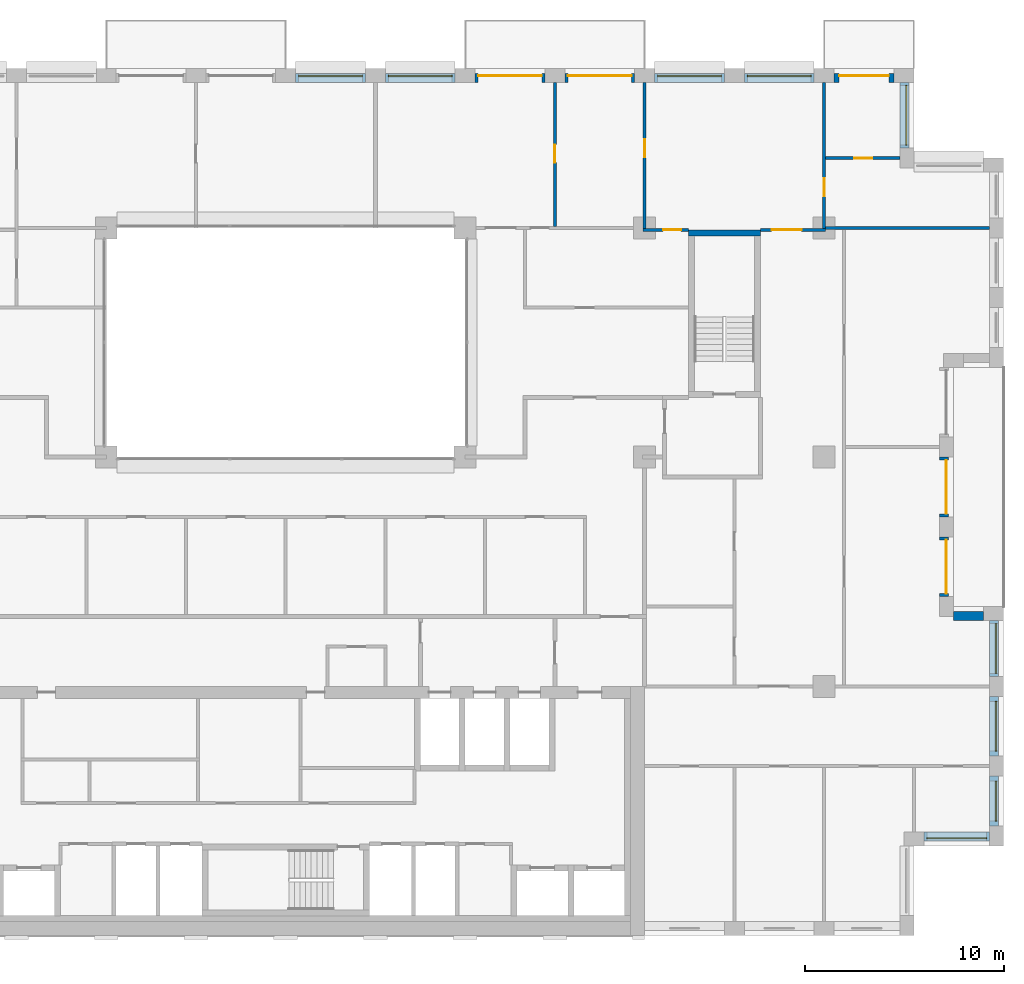
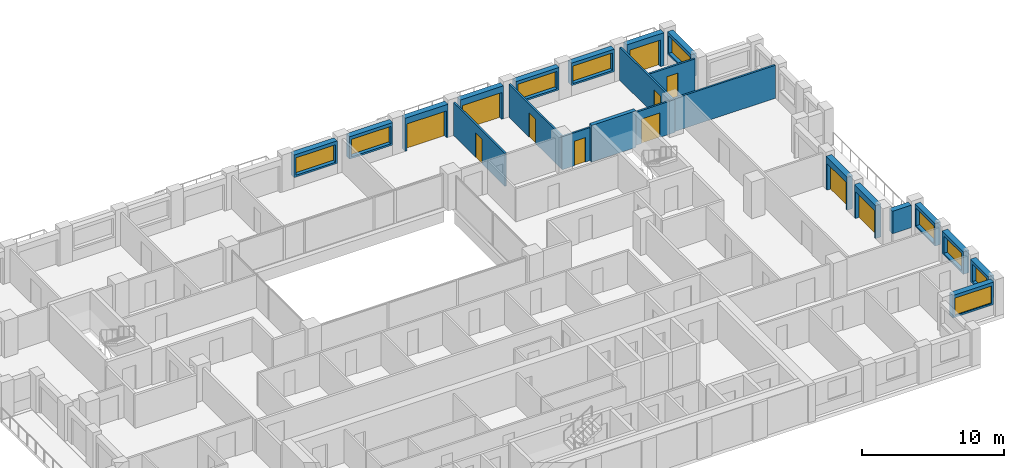
# One storey, part 13 of 15: 23 walls, 11 doors, 9 windows, 20 openings.
"""IFC4 building model written with IfcOpenShell, lengths in metres."""

from ifc_helpers import new_model, si_unit, direction, frame, frame_2d, origin, place, context, subcontext, project, spatial, rectangle, extrude, material, layer, layer_set, type_object, element, fill, save


model = new_model("IFC4")

# Units and contexts
model_context = context("Model", 3, precision=1e-05, world=origin(), true_north=direction((0.0, 1.0)))
body_context = subcontext(model_context, "Body", "Model", "MODEL_VIEW")
ifc_project = project(units=[si_unit("LENGTHUNIT", "METRE"), si_unit("AREAUNIT", "SQUARE_METRE"), si_unit("VOLUMEUNIT", "CUBIC_METRE"), si_unit("PLANEANGLEUNIT", "RADIAN"), si_unit("MASSUNIT", "GRAM", prefix="KILO")], contexts=[model_context])

# Site, building, storey
site_placement = place(None, origin())
site = spatial("IfcSite", under=ifc_project, at=site_placement, CompositionType="ELEMENT")
building_placement = place(site_placement, origin())
building = spatial("IfcBuilding", under=site, at=building_placement, Name="Brigalow Station Residences", CompositionType="ELEMENT")
storey_placement = place(building_placement, frame((0.0, 0.0, 150.75)))
storey = spatial("IfcBuildingStorey", under=building, at=storey_placement, Name="L43", CompositionType="ELEMENT", Elevation=150.75)

# Wall, opening, window
ifc_material_1 = material(Name="Clay brick masonry", Category="masonry")
ifc_layer_1 = layer(ifc_material_1, 0.449951171875)
ifc_layer_set_1 = layer_set([ifc_layer_1], Name="BRICK INFILL WALL 450")
wall_type_1 = type_object("IfcWallType", Name="BRICK INFILL WALL 450", PredefinedType="SOLIDWALL", material=ifc_layer_set_1)
wall_1_placement = place(storey_placement, frame((68.0, 4.97509765625, 0.89990234375), z_axis=(0.0, 0.0, 1.0), x_axis=(1.0, 0.0, 0.0)))
wall_1 = element("IfcWall", 1, at=wall_1_placement, inside=storey, type_object=wall_type_1, Name="L43/ewall/W-L43-8", PredefinedType="SOLIDWALL", context=body_context, shape_type="SweptSolid", body=[
    extrude(rectangle(XDim=3.300048828125, YDim=0.449951171875, at=frame_2d((1.64990234375, 0.0))), origin(), (0.0, 0.0, 1.0), 1.93017578125),
])
opening_1_placement = place(wall_1_placement, frame((0.14990234375, 0.0, 0.14990234375)))
opening_1 = element("IfcOpeningElement", 2, at=opening_1_placement, cuts=wall_1, Name="Opening WT-2", PredefinedType="OPENING", context=body_context, shape_type="SweptSolid", body=[
    extrude(rectangle(XDim=3.0, YDim=1.5, at=frame_2d((1.5, 0.75))), frame((0.0, 0.23486328125, 0.0), z_axis=(0.0, -1.0, 0.0), x_axis=(1.0, 0.0, 0.0)), (0.0, 0.0, 1.0), 0.469970703125),
])
ifc_material_2 = material(Name="Anodised aluminium frame with double glazing", Category="aluminium")
window_type_1 = type_object("IfcWindowType", Name="WINDOW 3000x1500", PartitioningType="SINGLE_PANEL", PredefinedType="WINDOW", material=ifc_material_2)
window_1_placement = place(opening_1_placement, origin())
window_1 = element("IfcWindow", 3, at=window_1_placement, inside=storey, type_object=window_type_1, Name="L43/window/W-L43-8", OverallHeight=1.5, OverallWidth=3.0, PartitioningType="SINGLE_PANEL", PredefinedType="WINDOW", context=body_context, shape_type="SweptSolid", body=[
    extrude(rectangle(XDim=3.0, YDim=1.5, at=frame_2d((1.5, 0.75))), frame((0.0, -0.06494140625, 0.0), z_axis=(0.0, -1.0, 0.0), x_axis=(1.0, 0.0, 0.0)), (0.0, 0.0, 1.0), 0.06005859375),
])
fill(opening_1, window_1)

wall_2_placement = place(storey_placement, frame((71.52490234375, 5.5, 0.89990234375), z_axis=(0.0, 0.0, 1.0), x_axis=(0.0, 1.0, 0.0)))
wall_2 = element("IfcWall", 4, at=wall_2_placement, inside=storey, type_object=wall_type_1, Name="L43/ewall/W-L43-9", PredefinedType="SOLIDWALL", context=body_context, shape_type="SweptSolid", body=[
    extrude(rectangle(XDim=2.5, YDim=0.449951171875, at=frame_2d((1.25, 0.0))), origin(), (0.0, 0.0, 1.0), 1.93017578125),
])
opening_2_placement = place(wall_2_placement, frame((0.25, 0.0, 0.14990234375)))
opening_2 = element("IfcOpeningElement", 5, at=opening_2_placement, cuts=wall_2, Name="Opening WT-7", PredefinedType="OPENING", context=body_context, shape_type="SweptSolid", body=[
    extrude(rectangle(XDim=2.0, YDim=1.5, at=frame_2d((1.0, 0.75))), frame((0.0, 0.23486328125, 0.0), z_axis=(0.0, -1.0, 0.0), x_axis=(1.0, 0.0, 0.0)), (0.0, 0.0, 1.0), 0.469970703125),
])
ifc_material_3 = material(Name="Anodised aluminium frame with double glazing", Category="aluminium")
window_type_2 = type_object("IfcWindowType", Name="WINDOW 2000x1500", PartitioningType="SINGLE_PANEL", PredefinedType="WINDOW", material=ifc_material_3)
window_2_placement = place(opening_2_placement, origin())
window_2 = element("IfcWindow", 6, at=window_2_placement, inside=storey, type_object=window_type_2, Name="L43/window/W-L43-9", OverallHeight=1.5, OverallWidth=2.0, PartitioningType="SINGLE_PANEL", PredefinedType="WINDOW", context=body_context, shape_type="SweptSolid", body=[
    extrude(rectangle(XDim=2.0, YDim=1.5, at=frame_2d((1.0, 0.75))), frame((0.0, -0.06494140625, 0.0), z_axis=(0.0, -1.0, 0.0), x_axis=(1.0, 0.0, 0.0)), (0.0, 0.0, 1.0), 0.06005859375),
])
fill(opening_2, window_2)

wall_3_placement = place(storey_placement, frame((71.52490234375, 9.0, 0.89990234375), z_axis=(0.0, 0.0, 1.0), x_axis=(0.0, 1.0, 0.0)))
wall_3 = element("IfcWall", 7, at=wall_3_placement, inside=storey, type_object=wall_type_1, Name="L43/ewall/W-L43-10", PredefinedType="SOLIDWALL", context=body_context, shape_type="SweptSolid", body=[
    extrude(rectangle(XDim=3.0, YDim=0.449951171875, at=frame_2d((1.5, 0.0))), origin(), (0.0, 0.0, 1.0), 1.93017578125),
])
opening_3_placement = place(wall_3_placement, frame((0.25, 0.0, 0.14990234375)))
opening_3 = element("IfcOpeningElement", 8, at=opening_3_placement, cuts=wall_3, Name="Opening WT-5", PredefinedType="OPENING", context=body_context, shape_type="SweptSolid", body=[
    extrude(rectangle(XDim=2.5, YDim=1.5, at=frame_2d((1.25, 0.75))), frame((0.0, 0.23486328125, 0.0), z_axis=(0.0, -1.0, 0.0), x_axis=(1.0, 0.0, 0.0)), (0.0, 0.0, 1.0), 0.469970703125),
])
ifc_material_4 = material(Name="Anodised aluminium frame with double glazing", Category="aluminium")
window_type_3 = type_object("IfcWindowType", Name="WINDOW 2500x1500", PartitioningType="SINGLE_PANEL", PredefinedType="WINDOW", material=ifc_material_4)
window_3_placement = place(opening_3_placement, origin())
window_3 = element("IfcWindow", 9, at=window_3_placement, inside=storey, type_object=window_type_3, Name="L43/window/W-L43-10", OverallHeight=1.5, OverallWidth=2.5, PartitioningType="SINGLE_PANEL", PredefinedType="WINDOW", context=body_context, shape_type="SweptSolid", body=[
    extrude(rectangle(XDim=2.5, YDim=1.5, at=frame_2d((1.25, 0.75))), frame((0.0, -0.06494140625, 0.0), z_axis=(0.0, -1.0, 0.0), x_axis=(1.0, 0.0, 0.0)), (0.0, 0.0, 1.0), 0.06005859375),
])
fill(opening_3, window_3)

wall_4_placement = place(storey_placement, frame((71.52490234375, 13.0, 0.89990234375), z_axis=(0.0, 0.0, 1.0), x_axis=(0.0, 1.0, 0.0)))
wall_4 = element("IfcWall", 10, at=wall_4_placement, inside=storey, type_object=wall_type_1, Name="L43/ewall/W-L43-11", PredefinedType="SOLIDWALL", context=body_context, shape_type="SweptSolid", body=[
    extrude(rectangle(XDim=2.800048828125, YDim=0.449951171875, at=frame_2d((1.39990234375, 0.0))), origin(), (0.0, 0.0, 1.0), 1.93017578125),
])
opening_4_placement = place(wall_4_placement, frame((0.14990234375, 0.0, 0.14990234375)))
opening_4 = element("IfcOpeningElement", 11, at=opening_4_placement, cuts=wall_4, Name="Opening WT-5", PredefinedType="OPENING", context=body_context, shape_type="SweptSolid", body=[
    extrude(rectangle(XDim=2.5, YDim=1.5, at=frame_2d((1.25, 0.75))), frame((0.0, 0.23486328125, 0.0), z_axis=(0.0, -1.0, 0.0), x_axis=(1.0, 0.0, 0.0)), (0.0, 0.0, 1.0), 0.469970703125),
])
window_4_placement = place(opening_4_placement, origin())
window_4 = element("IfcWindow", 12, at=window_4_placement, inside=storey, type_object=window_type_3, Name="L43/window/W-L43-11", OverallHeight=1.5, OverallWidth=2.5, PartitioningType="SINGLE_PANEL", PredefinedType="WINDOW", context=body_context, shape_type="SweptSolid", body=[
    extrude(rectangle(XDim=2.5, YDim=1.5, at=frame_2d((1.25, 0.75))), frame((0.0, -0.06494140625, 0.0), z_axis=(0.0, -1.0, 0.0), x_axis=(1.0, 0.0, 0.0)), (0.0, 0.0, 1.0), 0.06005859375),
])
fill(opening_4, window_4)

# Wall
wall_5_placement = place(storey_placement, frame((71.0, 16.02490234375, 0.89990234375), z_axis=(0.0, 0.0, 1.0), x_axis=(-1.0, 0.0, 0.0)))
element("IfcWall", 13, at=wall_5_placement, inside=storey, type_object=wall_type_1, Name="L43/ewall/W-L43-12", PredefinedType="SOLIDWALL", context=body_context, shape_type="SweptSolid", body=[
    extrude(rectangle(XDim=1.5, YDim=0.449951171875, at=frame_2d((0.75, 0.0))), origin(), (0.0, 0.0, 1.0), 1.93017578125),
])

# Wall, opening, door
wall_6_placement = place(storey_placement, frame((69.02490234375, 17.0, 0.0), z_axis=(0.0, 0.0, 1.0), x_axis=(0.0, 1.0, 0.0)))
wall_6 = element("IfcWall", 14, at=wall_6_placement, inside=storey, type_object=wall_type_1, Name="L43/ewall/W-L43-13", PredefinedType="SOLIDWALL", context=body_context, shape_type="SweptSolid", body=[
    extrude(rectangle(XDim=3.0, YDim=0.449951171875, at=frame_2d((1.5, 0.0))), origin(), (0.0, 0.0, 1.0), 2.830078125),
])
opening_5_placement = place(wall_6_placement, frame((0.14990234375, 0.0, 0.0)))
opening_5 = element("IfcOpeningElement", 15, at=opening_5_placement, cuts=wall_6, Name="Opening D-B2700", PredefinedType="OPENING", context=body_context, shape_type="SweptSolid", body=[
    extrude(rectangle(XDim=2.699951171875, YDim=2.300048828125, at=frame_2d((1.35009765625, 1.14990234375))), frame((0.0, 0.23486328125, 0.0), z_axis=(0.0, -1.0, 0.0), x_axis=(1.0, 0.0, 0.0)), (0.0, 0.0, 1.0), 0.469970703125),
])
ifc_material_5 = material(Name="Anodised aluminium frame with double glazing", Category="aluminium")
door_type_1 = type_object("IfcDoorType", Name="BALCONY SLIDING DOOR 2700x2300", OperationType="SLIDING_TO_LEFT", PredefinedType="DOOR", material=ifc_material_5)
door_1_placement = place(opening_5_placement, origin())
door_1 = element("IfcDoor", 16, at=door_1_placement, inside=storey, type_object=door_type_1, Name="L43/balcony-door/W-L43-13", OperationType="SLIDING_TO_LEFT", OverallHeight=2.300048828125, OverallWidth=2.699951171875, PredefinedType="DOOR", context=body_context, shape_type="SweptSolid", body=[
    extrude(rectangle(XDim=2.699951171875, YDim=2.300048828125, at=frame_2d((1.35009765625, 1.14990234375))), frame((0.0, -0.06982421875, 0.0), z_axis=(0.0, -1.0, 0.0), x_axis=(1.0, 0.0, 0.0)), (0.0, 0.0, 1.0), 0.050048828125),
])
fill(opening_5, door_1)

wall_7_placement = place(storey_placement, frame((69.02490234375, 21.0, 0.0), z_axis=(0.0, 0.0, 1.0), x_axis=(0.0, 1.0, 0.0)))
wall_7 = element("IfcWall", 17, at=wall_7_placement, inside=storey, type_object=wall_type_1, Name="L43/ewall/W-L43-14", PredefinedType="SOLIDWALL", context=body_context, shape_type="SweptSolid", body=[
    extrude(rectangle(XDim=3.0, YDim=0.449951171875, at=frame_2d((1.5, 0.0))), origin(), (0.0, 0.0, 1.0), 2.830078125),
])
opening_6_placement = place(wall_7_placement, frame((0.14990234375, 0.0, 0.0)))
opening_6 = element("IfcOpeningElement", 18, at=opening_6_placement, cuts=wall_7, Name="Opening D-B2700", PredefinedType="OPENING", context=body_context, shape_type="SweptSolid", body=[
    extrude(rectangle(XDim=2.699951171875, YDim=2.300048828125, at=frame_2d((1.35009765625, 1.14990234375))), frame((0.0, 0.23486328125, 0.0), z_axis=(0.0, -1.0, 0.0), x_axis=(1.0, 0.0, 0.0)), (0.0, 0.0, 1.0), 0.469970703125),
])
door_2_placement = place(opening_6_placement, origin())
door_2 = element("IfcDoor", 19, at=door_2_placement, inside=storey, type_object=door_type_1, Name="L43/balcony-door/W-L43-14", OperationType="SLIDING_TO_LEFT", OverallHeight=2.300048828125, OverallWidth=2.699951171875, PredefinedType="DOOR", context=body_context, shape_type="SweptSolid", body=[
    extrude(rectangle(XDim=2.699951171875, YDim=2.300048828125, at=frame_2d((1.35009765625, 1.14990234375))), frame((0.0, -0.06982421875, 0.0), z_axis=(0.0, -1.0, 0.0), x_axis=(1.0, 0.0, 0.0)), (0.0, 0.0, 1.0), 0.050048828125),
])
fill(opening_6, door_2)

# Wall, opening, window
wall_8_placement = place(storey_placement, frame((67.02490234375, 39.5, 0.89990234375), z_axis=(0.0, 0.0, 1.0), x_axis=(0.0, 1.0, 0.0)))
wall_8 = element("IfcWall", 20, at=wall_8_placement, inside=storey, type_object=wall_type_1, Name="L43/ewall/W-L43-21", PredefinedType="SOLIDWALL", context=body_context, shape_type="SweptSolid", body=[
    extrude(rectangle(XDim=3.300048828125, YDim=0.449951171875, at=frame_2d((1.64990234375, 0.0))), origin(), (0.0, 0.0, 1.0), 1.93017578125),
])
opening_7_placement = place(wall_8_placement, frame((0.14990234375, 0.0, 0.14990234375)))
opening_7 = element("IfcOpeningElement", 21, at=opening_7_placement, cuts=wall_8, Name="Opening WT-2", PredefinedType="OPENING", context=body_context, shape_type="SweptSolid", body=[
    extrude(rectangle(XDim=3.0, YDim=1.5, at=frame_2d((1.5, 0.75))), frame((0.0, 0.23486328125, 0.0), z_axis=(0.0, -1.0, 0.0), x_axis=(1.0, 0.0, 0.0)), (0.0, 0.0, 1.0), 0.469970703125),
])
window_5_placement = place(opening_7_placement, origin())
window_5 = element("IfcWindow", 22, at=window_5_placement, inside=storey, type_object=window_type_1, Name="L43/window/W-L43-21", OverallHeight=1.5, OverallWidth=3.0, PartitioningType="SINGLE_PANEL", PredefinedType="WINDOW", context=body_context, shape_type="SweptSolid", body=[
    extrude(rectangle(XDim=3.0, YDim=1.5, at=frame_2d((1.5, 0.75))), frame((0.0, -0.06494140625, 0.0), z_axis=(0.0, -1.0, 0.0), x_axis=(1.0, 0.0, 0.0)), (0.0, 0.0, 1.0), 0.06005859375),
])
fill(opening_7, window_5)

# Wall, opening, door
wall_9_placement = place(storey_placement, frame((66.5, 43.02490234375, 0.0), z_axis=(0.0, 0.0, 1.0), x_axis=(-1.0, 0.0, 0.0)))
wall_9 = element("IfcWall", 23, at=wall_9_placement, inside=storey, type_object=wall_type_1, Name="L43/ewall/W-L43-22", PredefinedType="SOLIDWALL", context=body_context, shape_type="SweptSolid", body=[
    extrude(rectangle(XDim=3.0, YDim=0.449951171875, at=frame_2d((1.5, 0.0))), origin(), (0.0, 0.0, 1.0), 2.830078125),
])
opening_8_placement = place(wall_9_placement, frame((0.25, 0.0, 0.0)))
opening_8 = element("IfcOpeningElement", 24, at=opening_8_placement, cuts=wall_9, Name="Opening D-B2500", PredefinedType="OPENING", context=body_context, shape_type="SweptSolid", body=[
    extrude(rectangle(XDim=2.5, YDim=2.300048828125, at=frame_2d((1.25, 1.14990234375))), frame((0.0, 0.23486328125, 0.0), z_axis=(0.0, -1.0, 0.0), x_axis=(1.0, 0.0, 0.0)), (0.0, 0.0, 1.0), 0.469970703125),
])
ifc_material_6 = material(Name="Anodised aluminium frame with double glazing", Category="aluminium")
door_type_2 = type_object("IfcDoorType", Name="BALCONY SLIDING DOOR 2500x2300", OperationType="SLIDING_TO_LEFT", PredefinedType="DOOR", material=ifc_material_6)
door_3_placement = place(opening_8_placement, origin())
door_3 = element("IfcDoor", 25, at=door_3_placement, inside=storey, type_object=door_type_2, Name="L43/balcony-door/W-L43-22", OperationType="SLIDING_TO_LEFT", OverallHeight=2.300048828125, OverallWidth=2.5, PredefinedType="DOOR", context=body_context, shape_type="SweptSolid", body=[
    extrude(rectangle(XDim=2.5, YDim=2.300048828125, at=frame_2d((1.25, 1.14990234375))), frame((0.0, -0.06982421875, 0.0), z_axis=(0.0, -1.0, 0.0), x_axis=(1.0, 0.0, 0.0)), (0.0, 0.0, 1.0), 0.050048828125),
])
fill(opening_8, door_3)

# Wall, opening, window
wall_10_placement = place(storey_placement, frame((62.5, 43.02490234375, 0.89990234375), z_axis=(0.0, 0.0, 1.0), x_axis=(-1.0, 0.0, 0.0)))
wall_10 = element("IfcWall", 26, at=wall_10_placement, inside=storey, type_object=wall_type_1, Name="L43/ewall/W-L43-23", PredefinedType="SOLIDWALL", context=body_context, shape_type="SweptSolid", body=[
    extrude(rectangle(XDim=3.5, YDim=0.449951171875, at=frame_2d((1.75, 0.0))), origin(), (0.0, 0.0, 1.0), 1.93017578125),
])
opening_9_placement = place(wall_10_placement, frame((0.14990234375, 0.0, 0.14990234375)))
opening_9 = element("IfcOpeningElement", 27, at=opening_9_placement, cuts=wall_10, Name="Opening WT-9", PredefinedType="OPENING", context=body_context, shape_type="SweptSolid", body=[
    extrude(rectangle(XDim=3.199951171875, YDim=1.5, at=frame_2d((1.60009765625, 0.75))), frame((0.0, 0.23486328125, 0.0), z_axis=(0.0, -1.0, 0.0), x_axis=(1.0, 0.0, 0.0)), (0.0, 0.0, 1.0), 0.469970703125),
])
ifc_material_7 = material(Name="Anodised aluminium frame with double glazing", Category="aluminium")
window_type_4 = type_object("IfcWindowType", Name="WINDOW 3200x1500", PartitioningType="SINGLE_PANEL", PredefinedType="WINDOW", material=ifc_material_7)
window_6_placement = place(opening_9_placement, origin())
window_6 = element("IfcWindow", 28, at=window_6_placement, inside=storey, type_object=window_type_4, Name="L43/window/W-L43-23", OverallHeight=1.5, OverallWidth=3.199951171875, PartitioningType="SINGLE_PANEL", PredefinedType="WINDOW", context=body_context, shape_type="SweptSolid", body=[
    extrude(rectangle(XDim=3.199951171875, YDim=1.5, at=frame_2d((1.60009765625, 0.75))), frame((0.0, -0.06494140625, 0.0), z_axis=(0.0, -1.0, 0.0), x_axis=(1.0, 0.0, 0.0)), (0.0, 0.0, 1.0), 0.06005859375),
])
fill(opening_9, window_6)

wall_11_placement = place(storey_placement, frame((58.0, 43.02490234375, 0.89990234375), z_axis=(0.0, 0.0, 1.0), x_axis=(-1.0, 0.0, 0.0)))
wall_11 = element("IfcWall", 29, at=wall_11_placement, inside=storey, type_object=wall_type_1, Name="L43/ewall/W-L43-24", PredefinedType="SOLIDWALL", context=body_context, shape_type="SweptSolid", body=[
    extrude(rectangle(XDim=3.5, YDim=0.449951171875, at=frame_2d((1.75, 0.0))), origin(), (0.0, 0.0, 1.0), 1.93017578125),
])
opening_10_placement = place(wall_11_placement, frame((0.14990234375, 0.0, 0.14990234375)))
opening_10 = element("IfcOpeningElement", 30, at=opening_10_placement, cuts=wall_11, Name="Opening WT-9", PredefinedType="OPENING", context=body_context, shape_type="SweptSolid", body=[
    extrude(rectangle(XDim=3.199951171875, YDim=1.5, at=frame_2d((1.60009765625, 0.75))), frame((0.0, 0.23486328125, 0.0), z_axis=(0.0, -1.0, 0.0), x_axis=(1.0, 0.0, 0.0)), (0.0, 0.0, 1.0), 0.469970703125),
])
window_7_placement = place(opening_10_placement, origin())
window_7 = element("IfcWindow", 31, at=window_7_placement, inside=storey, type_object=window_type_4, Name="L43/window/W-L43-24", OverallHeight=1.5, OverallWidth=3.199951171875, PartitioningType="SINGLE_PANEL", PredefinedType="WINDOW", context=body_context, shape_type="SweptSolid", body=[
    extrude(rectangle(XDim=3.199951171875, YDim=1.5, at=frame_2d((1.60009765625, 0.75))), frame((0.0, -0.06494140625, 0.0), z_axis=(0.0, -1.0, 0.0), x_axis=(1.0, 0.0, 0.0)), (0.0, 0.0, 1.0), 0.06005859375),
])
fill(opening_10, window_7)

# Wall, opening, door
wall_12_placement = place(storey_placement, frame((53.5, 43.02490234375, 0.0), z_axis=(0.0, 0.0, 1.0), x_axis=(-1.0, 0.0, 0.0)))
wall_12 = element("IfcWall", 32, at=wall_12_placement, inside=storey, type_object=wall_type_1, Name="L43/ewall/W-L43-25", PredefinedType="SOLIDWALL", context=body_context, shape_type="SweptSolid", body=[
    extrude(rectangle(XDim=3.5, YDim=0.449951171875, at=frame_2d((1.75, 0.0))), origin(), (0.0, 0.0, 1.0), 2.830078125),
])
opening_11_placement = place(wall_12_placement, frame((0.14990234375, 0.0, 0.0)))
opening_11 = element("IfcOpeningElement", 33, at=opening_11_placement, cuts=wall_12, Name="Opening D-B3200", PredefinedType="OPENING", context=body_context, shape_type="SweptSolid", body=[
    extrude(rectangle(XDim=3.199951171875, YDim=2.300048828125, at=frame_2d((1.60009765625, 1.14990234375))), frame((0.0, 0.23486328125, 0.0), z_axis=(0.0, -1.0, 0.0), x_axis=(1.0, 0.0, 0.0)), (0.0, 0.0, 1.0), 0.469970703125),
])
ifc_material_8 = material(Name="Anodised aluminium frame with double glazing", Category="aluminium")
door_type_3 = type_object("IfcDoorType", Name="BALCONY SLIDING DOOR 3200x2300", OperationType="SLIDING_TO_LEFT", PredefinedType="DOOR", material=ifc_material_8)
door_4_placement = place(opening_11_placement, origin())
door_4 = element("IfcDoor", 34, at=door_4_placement, inside=storey, type_object=door_type_3, Name="L43/balcony-door/W-L43-25", OperationType="SLIDING_TO_LEFT", OverallHeight=2.300048828125, OverallWidth=3.199951171875, PredefinedType="DOOR", context=body_context, shape_type="SweptSolid", body=[
    extrude(rectangle(XDim=3.199951171875, YDim=2.300048828125, at=frame_2d((1.60009765625, 1.14990234375))), frame((0.0, -0.06982421875, 0.0), z_axis=(0.0, -1.0, 0.0), x_axis=(1.0, 0.0, 0.0)), (0.0, 0.0, 1.0), 0.050048828125),
])
fill(opening_11, door_4)

wall_13_placement = place(storey_placement, frame((49.0, 43.02490234375, 0.0), z_axis=(0.0, 0.0, 1.0), x_axis=(-1.0, 0.0, 0.0)))
wall_13 = element("IfcWall", 35, at=wall_13_placement, inside=storey, type_object=wall_type_1, Name="L43/ewall/W-L43-26", PredefinedType="SOLIDWALL", context=body_context, shape_type="SweptSolid", body=[
    extrude(rectangle(XDim=3.5, YDim=0.449951171875, at=frame_2d((1.75, 0.0))), origin(), (0.0, 0.0, 1.0), 2.830078125),
])
opening_12_placement = place(wall_13_placement, frame((0.14990234375, 0.0, 0.0)))
opening_12 = element("IfcOpeningElement", 36, at=opening_12_placement, cuts=wall_13, Name="Opening D-B3200", PredefinedType="OPENING", context=body_context, shape_type="SweptSolid", body=[
    extrude(rectangle(XDim=3.199951171875, YDim=2.300048828125, at=frame_2d((1.60009765625, 1.14990234375))), frame((0.0, 0.23486328125, 0.0), z_axis=(0.0, -1.0, 0.0), x_axis=(1.0, 0.0, 0.0)), (0.0, 0.0, 1.0), 0.469970703125),
])
door_5_placement = place(opening_12_placement, origin())
door_5 = element("IfcDoor", 37, at=door_5_placement, inside=storey, type_object=door_type_3, Name="L43/balcony-door/W-L43-26", OperationType="SLIDING_TO_LEFT", OverallHeight=2.300048828125, OverallWidth=3.199951171875, PredefinedType="DOOR", context=body_context, shape_type="SweptSolid", body=[
    extrude(rectangle(XDim=3.199951171875, YDim=2.300048828125, at=frame_2d((1.60009765625, 1.14990234375))), frame((0.0, -0.06982421875, 0.0), z_axis=(0.0, -1.0, 0.0), x_axis=(1.0, 0.0, 0.0)), (0.0, 0.0, 1.0), 0.050048828125),
])
fill(opening_12, door_5)

# Wall, opening, window
wall_14_placement = place(storey_placement, frame((44.5, 43.02490234375, 0.89990234375), z_axis=(0.0, 0.0, 1.0), x_axis=(-1.0, 0.0, 0.0)))
wall_14 = element("IfcWall", 38, at=wall_14_placement, inside=storey, type_object=wall_type_1, Name="L43/ewall/W-L43-27", PredefinedType="SOLIDWALL", context=body_context, shape_type="SweptSolid", body=[
    extrude(rectangle(XDim=3.5, YDim=0.449951171875, at=frame_2d((1.75, 0.0))), origin(), (0.0, 0.0, 1.0), 1.93017578125),
])
opening_13_placement = place(wall_14_placement, frame((0.14990234375, 0.0, 0.14990234375)))
opening_13 = element("IfcOpeningElement", 39, at=opening_13_placement, cuts=wall_14, Name="Opening WT-9", PredefinedType="OPENING", context=body_context, shape_type="SweptSolid", body=[
    extrude(rectangle(XDim=3.199951171875, YDim=1.5, at=frame_2d((1.60009765625, 0.75))), frame((0.0, 0.23486328125, 0.0), z_axis=(0.0, -1.0, 0.0), x_axis=(1.0, 0.0, 0.0)), (0.0, 0.0, 1.0), 0.469970703125),
])
window_8_placement = place(opening_13_placement, origin())
window_8 = element("IfcWindow", 40, at=window_8_placement, inside=storey, type_object=window_type_4, Name="L43/window/W-L43-27", OverallHeight=1.5, OverallWidth=3.199951171875, PartitioningType="SINGLE_PANEL", PredefinedType="WINDOW", context=body_context, shape_type="SweptSolid", body=[
    extrude(rectangle(XDim=3.199951171875, YDim=1.5, at=frame_2d((1.60009765625, 0.75))), frame((0.0, -0.06494140625, 0.0), z_axis=(0.0, -1.0, 0.0), x_axis=(1.0, 0.0, 0.0)), (0.0, 0.0, 1.0), 0.06005859375),
])
fill(opening_13, window_8)

wall_15_placement = place(storey_placement, frame((40.0, 43.02490234375, 0.89990234375), z_axis=(0.0, 0.0, 1.0), x_axis=(-1.0, 0.0, 0.0)))
wall_15 = element("IfcWall", 41, at=wall_15_placement, inside=storey, type_object=wall_type_1, Name="L43/ewall/W-L43-28", PredefinedType="SOLIDWALL", context=body_context, shape_type="SweptSolid", body=[
    extrude(rectangle(XDim=3.5, YDim=0.449951171875, at=frame_2d((1.75, 0.0))), origin(), (0.0, 0.0, 1.0), 1.93017578125),
])
opening_14_placement = place(wall_15_placement, frame((0.14990234375, 0.0, 0.14990234375)))
opening_14 = element("IfcOpeningElement", 42, at=opening_14_placement, cuts=wall_15, Name="Opening WT-9", PredefinedType="OPENING", context=body_context, shape_type="SweptSolid", body=[
    extrude(rectangle(XDim=3.199951171875, YDim=1.5, at=frame_2d((1.60009765625, 0.75))), frame((0.0, 0.23486328125, 0.0), z_axis=(0.0, -1.0, 0.0), x_axis=(1.0, 0.0, 0.0)), (0.0, 0.0, 1.0), 0.469970703125),
])
window_9_placement = place(opening_14_placement, origin())
window_9 = element("IfcWindow", 43, at=window_9_placement, inside=storey, type_object=window_type_4, Name="L43/window/W-L43-28", OverallHeight=1.5, OverallWidth=3.199951171875, PartitioningType="SINGLE_PANEL", PredefinedType="WINDOW", context=body_context, shape_type="SweptSolid", body=[
    extrude(rectangle(XDim=3.199951171875, YDim=1.5, at=frame_2d((1.60009765625, 0.75))), frame((0.0, -0.06494140625, 0.0), z_axis=(0.0, -1.0, 0.0), x_axis=(1.0, 0.0, 0.0)), (0.0, 0.0, 1.0), 0.06005859375),
])
fill(opening_14, window_9)

# Wall
ifc_material_9 = material(Name="Concrete C65", Category="concrete")
ifc_layer_2 = layer(ifc_material_9, 0.300048828125)
ifc_layer_set_2 = layer_set([ifc_layer_2], Name="CORE SHEAR WALL 300 C65")
wall_type_2 = type_object("IfcWallType", Name="CORE SHEAR WALL 300 C65", PredefinedType="SHEAR", material=ifc_layer_set_2)
wall_16_placement = place(storey_placement, frame((56.199951171875, 35.25, 0.0), z_axis=(0.0, 0.0, 1.0), x_axis=(1.0, 0.0, 0.0)))
element("IfcWall", 44, at=wall_16_placement, inside=storey, type_object=wall_type_2, Name="CORE WALL ST-S3-N L43", PredefinedType="SHEAR", context=body_context, shape_type="SweptSolid", body=[
    extrude(rectangle(XDim=3.60009765625, YDim=0.300048828125, at=frame_2d((1.800048828125, 0.0))), origin(), (0.0, 0.0, 1.0), 3.14990234375),
])

# Wall, opening, door
ifc_material_10 = material(Name="Plasterboard on steel stud partition", Category="steel")
ifc_layer_3 = layer(ifc_material_10, 0.14990234375)
ifc_layer_set_3 = layer_set([ifc_layer_3], Name="FLAT PARTITION 150")
wall_type_3 = type_object("IfcWallType", Name="FLAT PARTITION 150", PredefinedType="PARTITIONING", material=ifc_layer_set_3)
wall_17_placement = place(storey_placement, frame((53.925048828125, 35.39990234375, 0.0), z_axis=(0.0, 0.0, 1.0), x_axis=(1.0, 0.0, 0.0)))
wall_17 = element("IfcWall", 45, at=wall_17_placement, inside=storey, type_object=wall_type_3, Name="PW-3B12", PredefinedType="PARTITIONING", context=body_context, shape_type="SweptSolid", body=[
    extrude(rectangle(XDim=2.27490234375, YDim=0.14990234375, at=frame_2d((1.137451171875, 0.0))), origin(), (0.0, 0.0, 1.0), 2.830078125),
])
opening_15_placement = place(wall_17_placement, frame((1.0, 0.0, 0.0)))
opening_15 = element("IfcOpeningElement", 46, at=opening_15_placement, cuts=wall_17, Name="Opening D-3B20", PredefinedType="OPENING", context=body_context, shape_type="SweptSolid", body=[
    extrude(rectangle(XDim=0.89990234375, YDim=2.10009765625, at=frame_2d((0.449951171875, 1.050048828125))), frame((0.0, 0.0849609375, 0.0), z_axis=(0.0, -1.0, 0.0), x_axis=(1.0, 0.0, 0.0)), (0.0, 0.0, 1.0), 0.169921875),
])
ifc_material_11 = material(Name="Solid-core timber door leaf", Category="wood")
door_type_4 = type_object("IfcDoorType", Name="INTERNAL DOOR 900 x 2100", OperationType="SINGLE_SWING_LEFT", PredefinedType="DOOR", material=ifc_material_11)
door_6_placement = place(opening_15_placement, frame((0.89990234375, 0.0, 0.0), z_axis=(0.0, 0.0, 1.0), x_axis=(-1.0, 0.0, 0.0)))
door_6 = element("IfcDoor", 47, at=door_6_placement, inside=storey, type_object=door_type_4, Name="D-3B20", OperationType="SINGLE_SWING_LEFT", OverallHeight=2.10009765625, OverallWidth=0.89990234375, PredefinedType="DOOR", context=body_context, shape_type="SweptSolid", body=[
    extrude(rectangle(XDim=0.89990234375, YDim=2.10009765625, at=frame_2d((0.449951171875, 1.050048828125))), frame((0.0, 0.02490234375, 0.0), z_axis=(0.0, -1.0, 0.0), x_axis=(1.0, 0.0, 0.0)), (0.0, 0.0, 1.0), 0.050048828125),
])
fill(opening_15, door_6)

wall_18_placement = place(storey_placement, frame((59.800048828125, 35.39990234375, 0.0), z_axis=(0.0, 0.0, 1.0), x_axis=(1.0, 0.0, 0.0)))
wall_18 = element("IfcWall", 48, at=wall_18_placement, inside=storey, type_object=wall_type_3, Name="PW-3B13", PredefinedType="PARTITIONING", context=body_context, shape_type="SweptSolid", body=[
    extrude(rectangle(XDim=3.27490234375, YDim=0.14990234375, at=frame_2d((1.637451171875, 0.0))), origin(), (0.0, 0.0, 1.0), 2.830078125),
])
opening_16_placement = place(wall_18_placement, frame((0.574951171875, 0.0, 0.0)))
opening_16 = element("IfcOpeningElement", 49, at=opening_16_placement, cuts=wall_18, Name="Opening D-3B24", PredefinedType="OPENING", context=body_context, shape_type="SweptSolid", body=[
    extrude(rectangle(XDim=1.5, YDim=2.10009765625, at=frame_2d((0.75, 1.050048828125))), frame((0.0, 0.0849609375, 0.0), z_axis=(0.0, -1.0, 0.0), x_axis=(1.0, 0.0, 0.0)), (0.0, 0.0, 1.0), 0.169921875),
])
ifc_material_12 = material(Name="Solid-core timber door leaf", Category="wood")
door_type_5 = type_object("IfcDoorType", Name="INTERNAL DOUBLE DOOR 1500 x 2100", OperationType="DOUBLE_DOOR_SINGLE_SWING", PredefinedType="DOOR", material=ifc_material_12)
door_7_placement = place(opening_16_placement, origin())
door_7 = element("IfcDoor", 50, at=door_7_placement, inside=storey, type_object=door_type_5, Name="D-3B24", OperationType="DOUBLE_DOOR_SINGLE_SWING", OverallHeight=2.10009765625, OverallWidth=1.5, PredefinedType="DOOR", context=body_context, shape_type="SweptSolid", body=[
    extrude(rectangle(XDim=1.5, YDim=2.10009765625, at=frame_2d((0.75, 1.050048828125))), frame((0.0, 0.02490234375, 0.0), z_axis=(0.0, -1.0, 0.0), x_axis=(1.0, 0.0, 0.0)), (0.0, 0.0, 1.0), 0.050048828125),
])
fill(opening_16, door_7)

# Wall
wall_19_placement = place(storey_placement, frame((63.074951171875, 35.5, 0.0), z_axis=(0.0, 0.0, 1.0), x_axis=(1.0, 0.0, 0.0)))
element("IfcWall", 51, at=wall_19_placement, inside=storey, type_object=wall_type_3, Name="PW-3B16", PredefinedType="PARTITIONING", context=body_context, shape_type="SweptSolid", body=[
    extrude(rectangle(XDim=8.22509765625, YDim=0.14990234375, at=frame_2d((4.112548828125, 0.0))), origin(), (0.0, 0.0, 1.0), 2.830078125),
])

# Wall, opening, door
wall_20_placement = place(storey_placement, frame((63.074951171875, 39.0, 0.0), z_axis=(0.0, 0.0, 1.0), x_axis=(1.0, 0.0, 0.0)))
wall_20 = element("IfcWall", 52, at=wall_20_placement, inside=storey, type_object=wall_type_3, Name="PW-3B25", PredefinedType="PARTITIONING", context=body_context, shape_type="SweptSolid", body=[
    extrude(rectangle(XDim=3.72509765625, YDim=0.14990234375, at=frame_2d((1.862548828125, 0.0))), origin(), (0.0, 0.0, 1.0), 2.830078125),
])
opening_17_placement = place(wall_20_placement, frame((1.449951171875, 0.0, 0.0)))
opening_17 = element("IfcOpeningElement", 53, at=opening_17_placement, cuts=wall_20, Name="Opening D-3B26", PredefinedType="OPENING", context=body_context, shape_type="SweptSolid", body=[
    extrude(rectangle(XDim=0.89990234375, YDim=2.10009765625, at=frame_2d((0.449951171875, 1.050048828125))), frame((0.0, 0.0849609375, 0.0), z_axis=(0.0, -1.0, 0.0), x_axis=(1.0, 0.0, 0.0)), (0.0, 0.0, 1.0), 0.169921875),
])
door_8_placement = place(opening_17_placement, origin())
door_8 = element("IfcDoor", 54, at=door_8_placement, inside=storey, type_object=door_type_4, Name="D-3B26", OperationType="SINGLE_SWING_RIGHT", OverallHeight=2.10009765625, OverallWidth=0.89990234375, PredefinedType="DOOR", context=body_context, shape_type="SweptSolid", body=[
    extrude(rectangle(XDim=0.89990234375, YDim=2.10009765625, at=frame_2d((0.449951171875, 1.050048828125))), frame((0.0, 0.02490234375, 0.0), z_axis=(0.0, -1.0, 0.0), x_axis=(1.0, 0.0, 0.0)), (0.0, 0.0, 1.0), 0.050048828125),
])
fill(opening_17, door_8)

wall_21_placement = place(storey_placement, frame((54.0, 35.47509765625, 0.0), z_axis=(0.0, 0.0, 1.0), x_axis=(0.0, 1.0, 0.0)))
wall_21 = element("IfcWall", 55, at=wall_21_placement, inside=storey, type_object=wall_type_3, Name="PW-3B28", PredefinedType="PARTITIONING", context=body_context, shape_type="SweptSolid", body=[
    extrude(rectangle(XDim=7.324951171875, YDim=0.14990234375, at=frame_2d((3.66259765625, 0.0))), origin(), (0.0, 0.0, 1.0), 2.830078125),
])
opening_18_placement = place(wall_21_placement, frame((3.574951171875, 0.0, 0.0)))
opening_18 = element("IfcOpeningElement", 56, at=opening_18_placement, cuts=wall_21, Name="Opening D-3B23", PredefinedType="OPENING", context=body_context, shape_type="SweptSolid", body=[
    extrude(rectangle(XDim=0.89990234375, YDim=2.10009765625, at=frame_2d((0.449951171875, 1.050048828125))), frame((0.0, 0.0849609375, 0.0), z_axis=(0.0, -1.0, 0.0), x_axis=(1.0, 0.0, 0.0)), (0.0, 0.0, 1.0), 0.169921875),
])
door_9_placement = place(opening_18_placement, origin())
door_9 = element("IfcDoor", 57, at=door_9_placement, inside=storey, type_object=door_type_4, Name="D-3B23", OperationType="SINGLE_SWING_RIGHT", OverallHeight=2.10009765625, OverallWidth=0.89990234375, PredefinedType="DOOR", context=body_context, shape_type="SweptSolid", body=[
    extrude(rectangle(XDim=0.89990234375, YDim=2.10009765625, at=frame_2d((0.449951171875, 1.050048828125))), frame((0.0, 0.02490234375, 0.0), z_axis=(0.0, -1.0, 0.0), x_axis=(1.0, 0.0, 0.0)), (0.0, 0.0, 1.0), 0.050048828125),
])
fill(opening_18, door_9)

wall_22_placement = place(storey_placement, frame((49.5, 35.574951171875, 0.0), z_axis=(0.0, 0.0, 1.0), x_axis=(0.0, 1.0, 0.0)))
wall_22 = element("IfcWall", 58, at=wall_22_placement, inside=storey, type_object=wall_type_3, Name="PW-3B42", PredefinedType="PARTITIONING", context=body_context, shape_type="SweptSolid", body=[
    extrude(rectangle(XDim=7.22509765625, YDim=0.14990234375, at=frame_2d((3.612548828125, 0.0))), origin(), (0.0, 0.0, 1.0), 2.830078125),
])
opening_19_placement = place(wall_22_placement, frame((3.199951171875, 0.0, 0.0)))
opening_19 = element("IfcOpeningElement", 59, at=opening_19_placement, cuts=wall_22, Name="Opening D-3B22", PredefinedType="OPENING", context=body_context, shape_type="SweptSolid", body=[
    extrude(rectangle(XDim=0.89990234375, YDim=2.10009765625, at=frame_2d((0.449951171875, 1.050048828125))), frame((0.0, 0.0849609375, 0.0), z_axis=(0.0, -1.0, 0.0), x_axis=(1.0, 0.0, 0.0)), (0.0, 0.0, 1.0), 0.169921875),
])
door_10_placement = place(opening_19_placement, frame((0.89990234375, 0.0, 0.0), z_axis=(0.0, 0.0, 1.0), x_axis=(-1.0, 0.0, 0.0)))
door_10 = element("IfcDoor", 60, at=door_10_placement, inside=storey, type_object=door_type_4, Name="D-3B22", OperationType="SINGLE_SWING_LEFT", OverallHeight=2.10009765625, OverallWidth=0.89990234375, PredefinedType="DOOR", context=body_context, shape_type="SweptSolid", body=[
    extrude(rectangle(XDim=0.89990234375, YDim=2.10009765625, at=frame_2d((0.449951171875, 1.050048828125))), frame((0.0, 0.02490234375, 0.0), z_axis=(0.0, -1.0, 0.0), x_axis=(1.0, 0.0, 0.0)), (0.0, 0.0, 1.0), 0.050048828125),
])
fill(opening_19, door_10)

wall_23_placement = place(storey_placement, frame((63.0, 35.47509765625, 0.0), z_axis=(0.0, 0.0, 1.0), x_axis=(0.0, 1.0, 0.0)))
wall_23 = element("IfcWall", 61, at=wall_23_placement, inside=storey, type_object=wall_type_3, Name="PW-3B44", PredefinedType="PARTITIONING", context=body_context, shape_type="SweptSolid", body=[
    extrude(rectangle(XDim=7.324951171875, YDim=0.14990234375, at=frame_2d((3.66259765625, 0.0))), origin(), (0.0, 0.0, 1.0), 2.830078125),
])
opening_20_placement = place(wall_23_placement, frame((1.60009765625, 0.0, 0.0)))
opening_20 = element("IfcOpeningElement", 62, at=opening_20_placement, cuts=wall_23, Name="Opening D-3B25", PredefinedType="OPENING", context=body_context, shape_type="SweptSolid", body=[
    extrude(rectangle(XDim=0.89990234375, YDim=2.10009765625, at=frame_2d((0.449951171875, 1.050048828125))), frame((0.0, 0.0849609375, 0.0), z_axis=(0.0, -1.0, 0.0), x_axis=(1.0, 0.0, 0.0)), (0.0, 0.0, 1.0), 0.169921875),
])
door_11_placement = place(opening_20_placement, frame((0.89990234375, 0.0, 0.0), z_axis=(0.0, 0.0, 1.0), x_axis=(-1.0, 0.0, 0.0)))
door_11 = element("IfcDoor", 63, at=door_11_placement, inside=storey, type_object=door_type_4, Name="D-3B25", OperationType="SINGLE_SWING_LEFT", OverallHeight=2.10009765625, OverallWidth=0.89990234375, PredefinedType="DOOR", context=body_context, shape_type="SweptSolid", body=[
    extrude(rectangle(XDim=0.89990234375, YDim=2.10009765625, at=frame_2d((0.449951171875, 1.050048828125))), frame((0.0, 0.02490234375, 0.0), z_axis=(0.0, -1.0, 0.0), x_axis=(1.0, 0.0, 0.0)), (0.0, 0.0, 1.0), 0.050048828125),
])
fill(opening_20, door_11)

save(model, "model.ifc")
